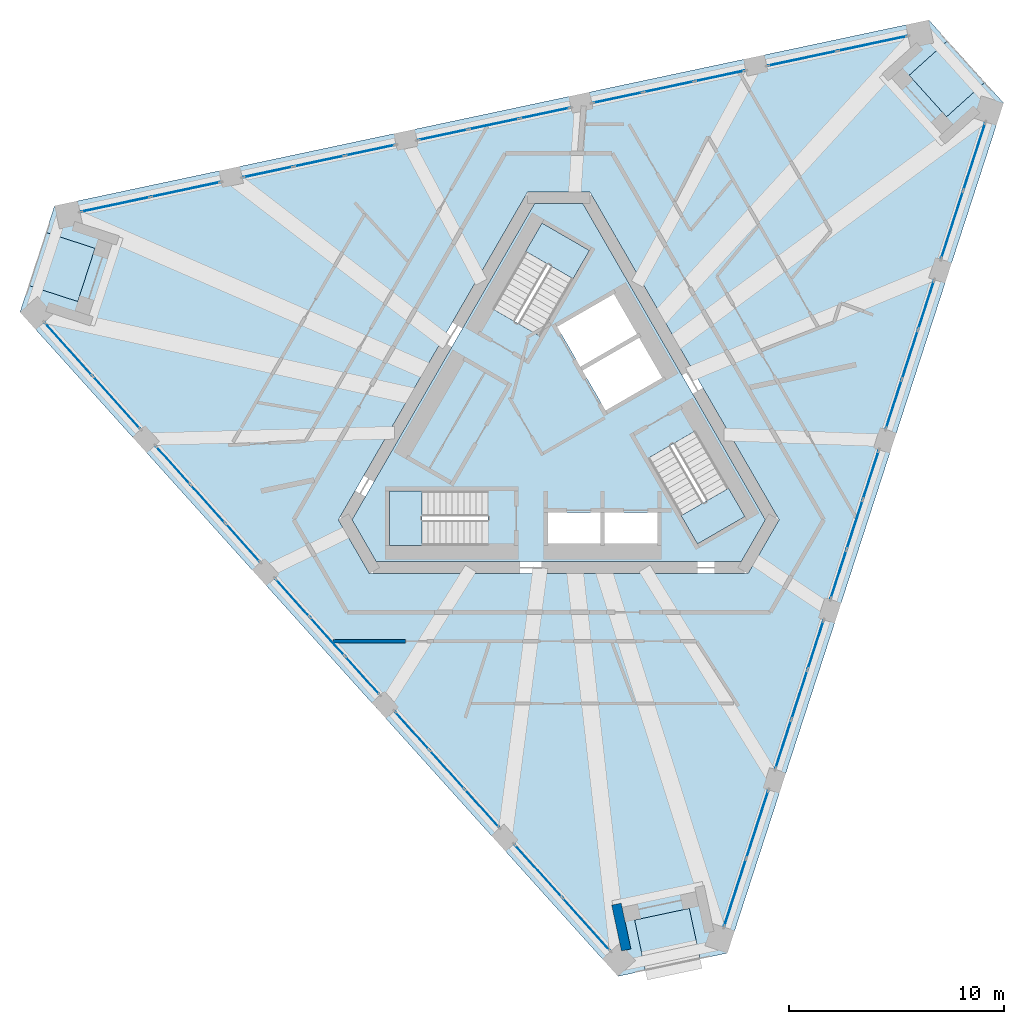
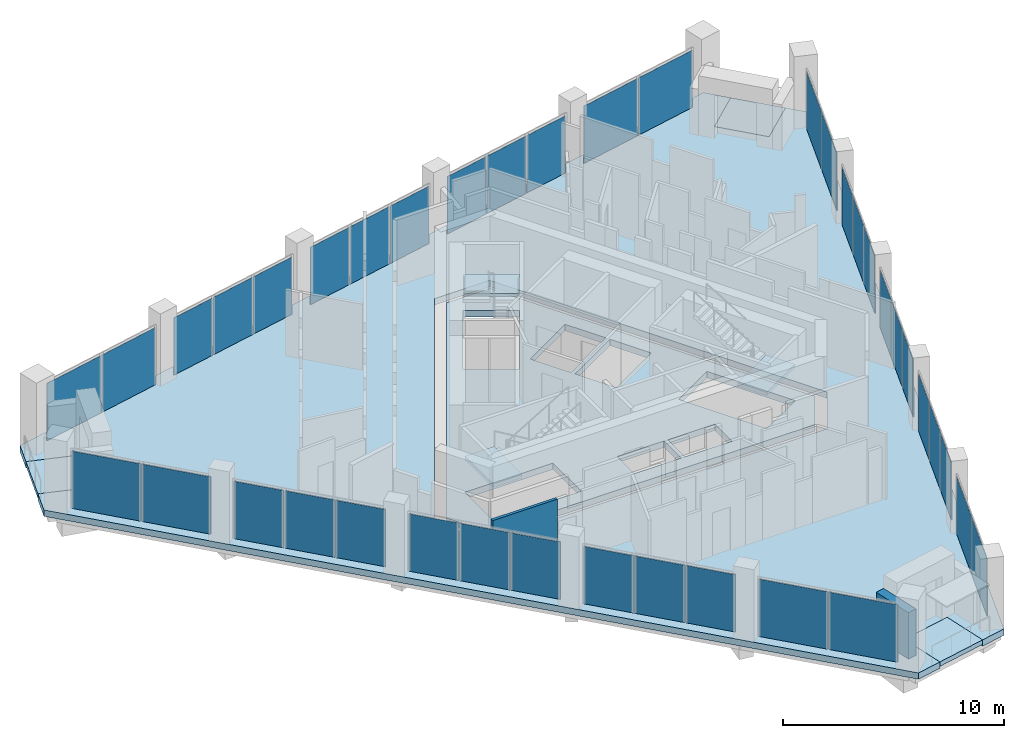
# One storey, part 9 of 17: 39 plates, 8 slabs, 2 walls, 18 elements without a shape of their own.
"""IFC4 building model written with IfcOpenShell, lengths in metres."""

import ifcopenshell
import ifcopenshell.guid

model = None  # the IFC model being written
_history = None  # IfcOwnerHistory: only IFC2X3 demands one
_inside = {}  # id of a spatial element -> (the spatial element, [elements in it])
_under = {}  # id of a project, library or spatial element -> (it, [spatial elements below it])
_declared = {}  # id of a project -> (the project, [libraries it declares])
_typed = {}  # id of a type object -> (the type object, [elements of that type])
_made_of = {}  # id of a material, layer set ... -> (it, [elements and type objects made of it])


def new_model(schema):
    """Start an empty IFC model of exactly this schema.

    Asked for "IFC4X3", IfcOpenShell would pick the latest addendum, in which some entities
    have other attributes; the version numbers below select the first issue.
    IFC2X3 requires an IfcOwnerHistory on every rooted entity: one is made here for all.
    """
    global model, _history
    if schema == "IFC4X3":
        model = ifcopenshell.file(schema_version=(4, 3, 0, 0))
    else:
        model = ifcopenshell.file(schema=schema)
    _inside.clear()
    _under.clear()
    _declared.clear()
    _typed.clear()
    _made_of.clear()
    _history = None
    if model.schema == "IFC2X3":
        org = make("IfcOrganization", Name="unknown")
        user = make(
            "IfcPersonAndOrganization",
            ThePerson=make("IfcPerson", FamilyName="unknown"),
            TheOrganization=org,
        )
        app = make(
            "IfcApplication",
            ApplicationDeveloper=org,
            Version="unknown",
            ApplicationFullName="unknown",
            ApplicationIdentifier="unknown",
        )
        _history = make(
            "IfcOwnerHistory",
            OwningUser=user,
            OwningApplication=app,
            ChangeAction="ADDED",
            CreationDate=0,
        )
    return model


def make(cls, **values):
    """One entity of the class cls with the attributes given. An attribute that is None is left unset."""
    return model.create_entity(
        cls, **{name: value for name, value in values.items() if value is not None}
    )


def rooted(cls, **values):
    """An entity with a GlobalId (a new one), such as an element, a storey or a relation."""
    return make(cls, GlobalId=ifcopenshell.guid.new(), OwnerHistory=_history, **values)


def si_unit(unit_type, name, prefix=None):
    """IfcSIUnit, for example si_unit("LENGTHUNIT", "METRE", prefix="MILLI")."""
    return make("IfcSIUnit", UnitType=unit_type, Prefix=prefix, Name=name)


def assignment(units):
    """IfcUnitAssignment: the units of a project."""
    return None if units is None else make("IfcUnitAssignment", Units=units)


def point(xyz):
    """IfcCartesianPoint."""
    return None if xyz is None else make("IfcCartesianPoint", Coordinates=xyz)


def direction(xyz):
    """IfcDirection."""
    return None if xyz is None else make("IfcDirection", DirectionRatios=xyz)


def frame(location, z_axis=None, x_axis=None):
    """IfcAxis2Placement3D, a coordinate frame: its origin and axes. An axis left out is left unset."""
    return make(
        "IfcAxis2Placement3D",
        Location=point(location),
        Axis=direction(z_axis),
        RefDirection=direction(x_axis),
    )


def frame_2d(location, x_axis=None):
    """IfcAxis2Placement2D, a coordinate frame in the plane: its origin and x axis."""
    return make(
        "IfcAxis2Placement2D", Location=point(location), RefDirection=direction(x_axis)
    )


def origin():
    """The frame at (0, 0, 0) with its axes left unset."""
    return frame((0.0, 0.0, 0.0))


def origin_2d():
    """The frame at (0, 0) in the plane with its x axis left unset."""
    return frame_2d((0.0, 0.0))


def place(relative_to, where):
    """IfcLocalPlacement: puts the frame where relative to a parent placement (None: the world)."""
    return make(
        "IfcLocalPlacement", PlacementRelTo=relative_to, RelativePlacement=where
    )


def context(
    kind, dimensions, precision=None, world=None, true_north=None, identifier=None
):
    """IfcGeometricRepresentationContext, for example the 3D "Model" context."""
    return make(
        "IfcGeometricRepresentationContext",
        ContextIdentifier=identifier,
        ContextType=kind,
        CoordinateSpaceDimension=dimensions,
        Precision=precision,
        WorldCoordinateSystem=world,
        TrueNorth=true_north,
    )


def subcontext(parent, identifier, kind, view, scale=None):
    """IfcGeometricRepresentationSubContext, for example "Body" below "Model"."""
    return make(
        "IfcGeometricRepresentationSubContext",
        ContextIdentifier=identifier,
        ContextType=kind,
        ParentContext=parent,
        TargetScale=scale,
        TargetView=view,
    )


def project(units=None, contexts=None):
    """IfcProject with its units and contexts."""
    return rooted(
        "IfcProject",
        Name="project",
        RepresentationContexts=contexts,
        UnitsInContext=assignment(units),
    )


def spatial(cls, under=None, at=None, **own):
    """A site, building, storey or space (cls), placed at a placement, below another one or the project."""
    s = rooted(cls, ObjectPlacement=at, **own)
    if under is not None:
        _under.setdefault(under.id(), (under, []))[1].append(s)
    return s


def polyline(points):
    """IfcPolyline through the points."""
    return make("IfcPolyline", Points=[point(p) for p in points])


def profile(cls, at=None, kind="AREA", **sizes):
    """A parametric profile (cls). Its sizes go by their IFC names, for example OverallWidth=200.0."""
    return make(cls, ProfileType=kind, Position=at, **sizes)


def rectangle(**sizes):
    """IfcRectangleProfileDef."""
    return profile("IfcRectangleProfileDef", **sizes)


def outline(outer, holes=None, kind="AREA"):
    """IfcArbitraryClosedProfileDef: a profile drawn as a closed curve; with holes, ...WithVoids."""
    if holes is None:
        return make("IfcArbitraryClosedProfileDef", ProfileType=kind, OuterCurve=outer)
    return make(
        "IfcArbitraryProfileDefWithVoids",
        ProfileType=kind,
        OuterCurve=outer,
        InnerCurves=holes,
    )


def extrude(swept, where, along, depth):
    """IfcExtrudedAreaSolid: the profile swept, set in the frame where, extruded along a direction by depth."""
    return make(
        "IfcExtrudedAreaSolid",
        SweptArea=swept,
        Position=where,
        ExtrudedDirection=direction(along),
        Depth=depth,
    )


def shape(context_of_items, identifier, shape_type, items):
    """IfcShapeRepresentation: the items that make up one representation, for example the "Body"."""
    return make(
        "IfcShapeRepresentation",
        ContextOfItems=context_of_items,
        RepresentationIdentifier=identifier,
        RepresentationType=shape_type,
        Items=items,
    )


def material(Name=None, Category=None):
    """IfcMaterial."""
    return make("IfcMaterial", Name=Name, Category=Category)


def layer(
    of_material, thickness, ventilated=None, Name=None, Category=None, Priority=None
):
    """IfcMaterialLayer: one layer of a wall or slab, of a material (None: an air gap)."""
    return make(
        "IfcMaterialLayer",
        Material=of_material,
        LayerThickness=thickness,
        IsVentilated=ventilated,
        Name=Name,
        Category=Category,
        Priority=Priority,
    )


def layer_set(layers, Name=None):
    """IfcMaterialLayerSet."""
    return make("IfcMaterialLayerSet", MaterialLayers=layers, LayerSetName=Name)


def made_of(thing, what):
    """Note that an element or type object is made of a material, layer set ...; save() writes the relation."""
    if what is not None:
        _made_of.setdefault(what.id(), (what, []))[1].append(thing)
    return thing


def type_object(cls, material=None, **own):
    """A type object (cls), such as IfcWallType, which elements share."""
    return made_of(rooted(cls, **own), material)


def element(
    cls,
    number,
    at=None,
    inside=None,
    cuts=None,
    type_object=None,
    material=None,
    context=None,
    identifier="Body",
    shape_type=None,
    held_by="IfcProductDefinitionShape",
    body=None,
    shapes=None,
    **own,
):
    """One element of the class cls, such as IfcWall. Its Tag is "e" and its number.

    at: its placement. inside: the storey or other place that contains it. cuts: it is an
    opening in that element (IfcRelVoidsElement). A single representation is given by context,
    identifier, shape_type and body (its items); several are given by shapes. held_by: the class
    of the entity that holds the representations. save() writes the other relations.
    """
    e = rooted(cls, Tag="e%d" % number, ObjectPlacement=at, **own)
    if body is not None:
        shapes = [shape(context, identifier, shape_type, body)]
    if shapes is not None:
        e.Representation = make(held_by, Representations=shapes)
    if inside is not None:
        _inside.setdefault(inside.id(), (inside, []))[1].append(e)
    if cuts is not None:
        rooted(
            "IfcRelVoidsElement", RelatingBuildingElement=cuts, RelatedOpeningElement=e
        )
    if type_object is not None:
        _typed.setdefault(type_object.id(), (type_object, []))[1].append(e)
    return made_of(e, material)


def aggregate(whole, parts):
    """IfcRelAggregates: a whole, such as a stair, and the parts it consists of."""
    return rooted("IfcRelAggregates", RelatingObject=whole, RelatedObjects=parts)


def save(model, path):
    """Write the relations noted so far, then the file.

    IfcRelAggregates (storeys below a building ...), IfcRelContainedInSpatialStructure (elements
    in a storey), IfcRelDefinesByType, IfcRelAssociatesMaterial and IfcRelDeclares: one each for
    every whole, place, type object, material and project.
    """
    for whole, parts in _under.values():
        aggregate(whole, parts)
    for where, things in _inside.values():
        rooted(
            "IfcRelContainedInSpatialStructure",
            RelatedElements=things,
            RelatingStructure=where,
        )
    for kind, things in _typed.values():
        rooted("IfcRelDefinesByType", RelatedObjects=things, RelatingType=kind)
    for what, things in _made_of.values():
        rooted("IfcRelAssociatesMaterial", RelatedObjects=things, RelatingMaterial=what)
    for by, libraries in _declared.values():
        rooted("IfcRelDeclares", RelatingContext=by, RelatedDefinitions=libraries)
    model.write(path)


model = new_model("IFC4")

# Units and contexts
model_context = context("Model", 3, precision=1e-05, world=origin(), true_north=direction((0.0, 1.0)))
body_context = subcontext(model_context, "Body", "Model", "MODEL_VIEW")
ifc_project = project(units=[si_unit("LENGTHUNIT", "METRE"), si_unit("AREAUNIT", "SQUARE_METRE"), si_unit("VOLUMEUNIT", "CUBIC_METRE"), si_unit("PLANEANGLEUNIT", "RADIAN"), si_unit("MASSUNIT", "GRAM", prefix="KILO")], contexts=[model_context])

# Site, building, storey
site_placement = place(None, origin())
site = spatial("IfcSite", under=ifc_project, at=site_placement, CompositionType="ELEMENT")
building_placement = place(site_placement, origin())
building = spatial("IfcBuilding", under=site, at=building_placement, Name="Tramontana Tower", CompositionType="ELEMENT")
storey_placement = place(building_placement, frame((0.0, 0.0, 348.39990234375)))
storey = spatial("IfcBuildingStorey", under=building, at=storey_placement, Name="L80", CompositionType="ELEMENT", Elevation=348.39990234375)

# Curtain wall, plates
ifc_material_1 = material(Name="Aluminum extrusion", Category="aluminium")
ifc_layer_1 = layer(ifc_material_1, 0.14990234375)
ifc_layer_set_1 = layer_set([ifc_layer_1], Name="CW5 Top lounge curtain wall")
curtain_wall_type = type_object("IfcCurtainWallType", Name="CW5 Top lounge curtain wall", PredefinedType="NOTDEFINED", material=ifc_layer_set_1)
curtain_wall_1_placement = place(storey_placement, origin())
curtain_wall_1 = element("IfcCurtainWall", 1, at=curtain_wall_1_placement, inside=storey, type_object=curtain_wall_type, Name="CW5 curtain wall L80 face 0 bay 1", PredefinedType="NOTDEFINED")
ifc_material_2 = material(Name="Low-iron double glazing unit", Category="glass")
ifc_layer_2 = layer(ifc_material_2, 0.033935546875)
ifc_layer_set_2 = layer_set([ifc_layer_2], Name="CW5-P Glazing panel 34")
plate_type = type_object("IfcPlateType", Name="CW5-P Glazing panel 34", PredefinedType="CURTAIN_PANEL", material=ifc_layer_set_2)
plate_1_placement = place(storey_placement, frame((-22.79541015625, 3.684326171875, 0.0), z_axis=(0.0, 0.0, 1.0), x_axis=(0.669130606359, -0.743144825477, 0.0)))
plate_1 = element("IfcPlate", 2, at=plate_1_placement, type_object=plate_type, Name="CW5 curtain wall L80 face 0 bay 1 panel 1.1", PredefinedType="CURTAIN_PANEL", context=body_context, shape_type="SweptSolid", body=[
    extrude(rectangle(XDim=3.266845703125, YDim=0.033935546875, at=origin_2d()), origin(), (0.0, 0.0, 1.0), 3.1650390625),
])
plate_2_placement = place(storey_placement, frame((-20.5693359375, 1.2119140625, 0.0), z_axis=(0.0, 0.0, 1.0), x_axis=(0.669130606359, -0.743144825477, 0.0)))
plate_2 = element("IfcPlate", 3, at=plate_2_placement, type_object=plate_type, Name="CW5 curtain wall L80 face 0 bay 1 panel 2.1", PredefinedType="CURTAIN_PANEL", context=body_context, shape_type="SweptSolid", body=[
    extrude(rectangle(XDim=3.266845703125, YDim=0.033935546875, at=origin_2d()), origin(), (0.0, 0.0, 1.0), 3.1650390625),
])
aggregate(curtain_wall_1, [plate_1, plate_2])

curtain_wall_2_placement = place(storey_placement, origin())
curtain_wall_2 = element("IfcCurtainWall", 4, at=curtain_wall_2_placement, inside=storey, type_object=curtain_wall_type, Name="CW5 curtain wall L80 face 0 bay 2", PredefinedType="NOTDEFINED")
plate_3_placement = place(storey_placement, frame((-17.94140625, -1.706787109375, 0.0), z_axis=(0.0, 0.0, 1.0), x_axis=(0.669130606359, -0.743144825477, 0.0)))
plate_3 = element("IfcPlate", 5, at=plate_3_placement, type_object=plate_type, Name="CW5 curtain wall L80 face 0 bay 2 panel 1.1", PredefinedType="CURTAIN_PANEL", context=body_context, shape_type="SweptSolid", body=[
    extrude(rectangle(XDim=2.347900390625, YDim=0.033935546875, at=origin_2d()), origin(), (0.0, 0.0, 1.0), 3.1650390625),
])
plate_4_placement = place(storey_placement, frame((-16.320068359375, -3.50732421875, 0.0), z_axis=(0.0, 0.0, 1.0), x_axis=(0.669130606359, -0.743144825477, 0.0)))
plate_4 = element("IfcPlate", 6, at=plate_4_placement, type_object=plate_type, Name="CW5 curtain wall L80 face 0 bay 2 panel 2.1", PredefinedType="CURTAIN_PANEL", context=body_context, shape_type="SweptSolid", body=[
    extrude(rectangle(XDim=2.3779296875, YDim=0.033935546875, at=origin_2d()), origin(), (0.0, 0.0, 1.0), 3.1650390625),
])
plate_5_placement = place(storey_placement, frame((-14.69873046875, -5.307861328125, 0.0), z_axis=(0.0, 0.0, 1.0), x_axis=(0.669130606359, -0.743144825477, 0.0)))
plate_5 = element("IfcPlate", 7, at=plate_5_placement, type_object=plate_type, Name="CW5 curtain wall L80 face 0 bay 2 panel 3.1", PredefinedType="CURTAIN_PANEL", context=body_context, shape_type="SweptSolid", body=[
    extrude(rectangle(XDim=2.347900390625, YDim=0.033935546875, at=origin_2d()), origin(), (0.0, 0.0, 1.0), 3.1650390625),
])
aggregate(curtain_wall_2, [plate_3, plate_4, plate_5])

curtain_wall_3_placement = place(storey_placement, origin())
curtain_wall_3 = element("IfcCurtainWall", 8, at=curtain_wall_3_placement, inside=storey, type_object=curtain_wall_type, Name="CW5 curtain wall L80 face 0 bay 3", PredefinedType="NOTDEFINED")
plate_6_placement = place(storey_placement, frame((-12.378173828125, -7.885009765625, 0.0), z_axis=(0.0, 0.0, 1.0), x_axis=(0.669130606359, -0.743144825477, 0.0)))
plate_6 = element("IfcPlate", 9, at=plate_6_placement, type_object=plate_type, Name="CW5 curtain wall L80 face 0 bay 3 panel 1.1", PredefinedType="CURTAIN_PANEL", context=body_context, shape_type="SweptSolid", body=[
    extrude(rectangle(XDim=2.347900390625, YDim=0.033935546875, at=origin_2d()), origin(), (0.0, 0.0, 1.0), 3.1650390625),
])
plate_7_placement = place(storey_placement, frame((-10.757080078125, -9.685546875, 0.0), z_axis=(0.0, 0.0, 1.0), x_axis=(0.669130606359, -0.743144825477, 0.0)))
plate_7 = element("IfcPlate", 10, at=plate_7_placement, type_object=plate_type, Name="CW5 curtain wall L80 face 0 bay 3 panel 2.1", PredefinedType="CURTAIN_PANEL", context=body_context, shape_type="SweptSolid", body=[
    extrude(rectangle(XDim=2.3779296875, YDim=0.033935546875, at=origin_2d()), origin(), (0.0, 0.0, 1.0), 3.1650390625),
])
plate_8_placement = place(storey_placement, frame((-9.1357421875, -11.486328125, 0.0), z_axis=(0.0, 0.0, 1.0), x_axis=(0.669130606359, -0.743144825477, 0.0)))
plate_8 = element("IfcPlate", 11, at=plate_8_placement, type_object=plate_type, Name="CW5 curtain wall L80 face 0 bay 3 panel 3.1", PredefinedType="CURTAIN_PANEL", context=body_context, shape_type="SweptSolid", body=[
    extrude(rectangle(XDim=2.347900390625, YDim=0.033935546875, at=origin_2d()), origin(), (0.0, 0.0, 1.0), 3.1650390625),
])
aggregate(curtain_wall_3, [plate_6, plate_7, plate_8])

curtain_wall_4_placement = place(storey_placement, origin())
curtain_wall_4 = element("IfcCurtainWall", 12, at=curtain_wall_4_placement, inside=storey, type_object=curtain_wall_type, Name="CW5 curtain wall L80 face 0 bay 4", PredefinedType="NOTDEFINED")
plate_9_placement = place(storey_placement, frame((-6.815185546875, -14.0634765625, 0.0), z_axis=(0.0, 0.0, 1.0), x_axis=(0.669130606359, -0.743144825477, 0.0)))
plate_9 = element("IfcPlate", 13, at=plate_9_placement, type_object=plate_type, Name="CW5 curtain wall L80 face 0 bay 4 panel 1.1", PredefinedType="CURTAIN_PANEL", context=body_context, shape_type="SweptSolid", body=[
    extrude(rectangle(XDim=2.347900390625, YDim=0.033935546875, at=origin_2d()), origin(), (0.0, 0.0, 1.0), 3.1650390625),
])
plate_10_placement = place(storey_placement, frame((-5.194091796875, -15.864013671875, 0.0), z_axis=(0.0, 0.0, 1.0), x_axis=(0.669130606359, -0.743144825477, 0.0)))
plate_10 = element("IfcPlate", 14, at=plate_10_placement, type_object=plate_type, Name="CW5 curtain wall L80 face 0 bay 4 panel 2.1", PredefinedType="CURTAIN_PANEL", context=body_context, shape_type="SweptSolid", body=[
    extrude(rectangle(XDim=2.3779296875, YDim=0.033935546875, at=origin_2d()), origin(), (0.0, 0.0, 1.0), 3.1650390625),
])
plate_11_placement = place(storey_placement, frame((-3.57275390625, -17.66455078125, 0.0), z_axis=(0.0, 0.0, 1.0), x_axis=(0.669130606359, -0.743144825477, 0.0)))
plate_11 = element("IfcPlate", 15, at=plate_11_placement, type_object=plate_type, Name="CW5 curtain wall L80 face 0 bay 4 panel 3.1", PredefinedType="CURTAIN_PANEL", context=body_context, shape_type="SweptSolid", body=[
    extrude(rectangle(XDim=2.347900390625, YDim=0.033935546875, at=origin_2d()), origin(), (0.0, 0.0, 1.0), 3.1650390625),
])
aggregate(curtain_wall_4, [plate_9, plate_10, plate_11])

curtain_wall_5_placement = place(storey_placement, origin())
curtain_wall_5 = element("IfcCurtainWall", 16, at=curtain_wall_5_placement, inside=storey, type_object=curtain_wall_type, Name="CW5 curtain wall L80 face 0 bay 5", PredefinedType="NOTDEFINED")
plate_12_placement = place(storey_placement, frame((-0.94482421875, -20.583251953125, 0.0), z_axis=(0.0, 0.0, 1.0), x_axis=(0.669130606359, -0.743144825477, 0.0)))
plate_12 = element("IfcPlate", 17, at=plate_12_placement, type_object=plate_type, Name="CW5 curtain wall L80 face 0 bay 5 panel 1.1", PredefinedType="CURTAIN_PANEL", context=body_context, shape_type="SweptSolid", body=[
    extrude(rectangle(XDim=3.266845703125, YDim=0.033935546875, at=origin_2d()), origin(), (0.0, 0.0, 1.0), 3.1650390625),
])
plate_13_placement = place(storey_placement, frame((1.281494140625, -23.0556640625, 0.0), z_axis=(0.0, 0.0, 1.0), x_axis=(0.669130606359, -0.743144825477, 0.0)))
plate_13 = element("IfcPlate", 18, at=plate_13_placement, type_object=plate_type, Name="CW5 curtain wall L80 face 0 bay 5 panel 2.1", PredefinedType="CURTAIN_PANEL", context=body_context, shape_type="SweptSolid", body=[
    extrude(rectangle(XDim=3.266845703125, YDim=0.033935546875, at=origin_2d()), origin(), (0.0, 0.0, 1.0), 3.1650390625),
])
aggregate(curtain_wall_5, [plate_12, plate_13])

curtain_wall_6_placement = place(storey_placement, origin())
curtain_wall_6 = element("IfcCurtainWall", 19, at=curtain_wall_6_placement, inside=storey, type_object=curtain_wall_type, Name="CW5 curtain wall L80 face 1 bay 1", PredefinedType="NOTDEFINED")
plate_14_placement = place(storey_placement, frame((8.20703125, -21.583740234375, 0.0), z_axis=(0.0, 0.0, 1.0), x_axis=(0.309016994375, 0.951056516295, 0.0)))
plate_14 = element("IfcPlate", 20, at=plate_14_placement, type_object=plate_type, Name="CW5 curtain wall L80 face 1 bay 1 panel 1.1", PredefinedType="CURTAIN_PANEL", context=body_context, shape_type="SweptSolid", body=[
    extrude(rectangle(XDim=3.266845703125, YDim=0.033935546875, at=origin_2d()), origin(), (0.0, 0.0, 1.0), 3.1650390625),
])
plate_15_placement = place(storey_placement, frame((9.235107421875, -18.41943359375, 0.0), z_axis=(0.0, 0.0, 1.0), x_axis=(0.309016994375, 0.951056516295, 0.0)))
plate_15 = element("IfcPlate", 21, at=plate_15_placement, type_object=plate_type, Name="CW5 curtain wall L80 face 1 bay 1 panel 2.1", PredefinedType="CURTAIN_PANEL", context=body_context, shape_type="SweptSolid", body=[
    extrude(rectangle(XDim=3.266845703125, YDim=0.033935546875, at=origin_2d()), origin(), (0.0, 0.0, 1.0), 3.1650390625),
])
aggregate(curtain_wall_6, [plate_14, plate_15])

curtain_wall_7_placement = place(storey_placement, origin())
curtain_wall_7 = element("IfcCurtainWall", 22, at=curtain_wall_7_placement, inside=storey, type_object=curtain_wall_type, Name="CW5 curtain wall L80 face 1 bay 2", PredefinedType="NOTDEFINED")
plate_16_placement = place(storey_placement, frame((10.44873046875, -14.684326171875, 0.0), z_axis=(0.0, 0.0, 1.0), x_axis=(0.309016994375, 0.951056516295, 0.0)))
plate_16 = element("IfcPlate", 23, at=plate_16_placement, type_object=plate_type, Name="CW5 curtain wall L80 face 1 bay 2 panel 1.1", PredefinedType="CURTAIN_PANEL", context=body_context, shape_type="SweptSolid", body=[
    extrude(rectangle(XDim=2.347900390625, YDim=0.033935546875, at=origin_2d()), origin(), (0.0, 0.0, 1.0), 3.1650390625),
])
plate_17_placement = place(storey_placement, frame((11.197509765625, -12.3798828125, 0.0), z_axis=(0.0, 0.0, 1.0), x_axis=(0.309016994375, 0.951056516295, 0.0)))
plate_17 = element("IfcPlate", 24, at=plate_17_placement, type_object=plate_type, Name="CW5 curtain wall L80 face 1 bay 2 panel 2.1", PredefinedType="CURTAIN_PANEL", context=body_context, shape_type="SweptSolid", body=[
    extrude(rectangle(XDim=2.3779296875, YDim=0.033935546875, at=origin_2d()), origin(), (0.0, 0.0, 1.0), 3.1650390625),
])
plate_18_placement = place(storey_placement, frame((11.946044921875, -10.07568359375, 0.0), z_axis=(0.0, 0.0, 1.0), x_axis=(0.309016994375, 0.951056516295, 0.0)))
plate_18 = element("IfcPlate", 25, at=plate_18_placement, type_object=plate_type, Name="CW5 curtain wall L80 face 1 bay 2 panel 3.1", PredefinedType="CURTAIN_PANEL", context=body_context, shape_type="SweptSolid", body=[
    extrude(rectangle(XDim=2.347900390625, YDim=0.033935546875, at=origin_2d()), origin(), (0.0, 0.0, 1.0), 3.1650390625),
])
aggregate(curtain_wall_7, [plate_16, plate_17, plate_18])

curtain_wall_8_placement = place(storey_placement, origin())
curtain_wall_8 = element("IfcCurtainWall", 26, at=curtain_wall_8_placement, inside=storey, type_object=curtain_wall_type, Name="CW5 curtain wall L80 face 1 bay 3", PredefinedType="NOTDEFINED")
plate_19_placement = place(storey_placement, frame((13.017822265625, -6.77734375, 0.0), z_axis=(0.0, 0.0, 1.0), x_axis=(0.309016994375, 0.951056516295, 0.0)))
plate_19 = element("IfcPlate", 27, at=plate_19_placement, type_object=plate_type, Name="CW5 curtain wall L80 face 1 bay 3 panel 1.1", PredefinedType="CURTAIN_PANEL", context=body_context, shape_type="SweptSolid", body=[
    extrude(rectangle(XDim=2.347900390625, YDim=0.033935546875, at=origin_2d()), origin(), (0.0, 0.0, 1.0), 3.1650390625),
])
plate_20_placement = place(storey_placement, frame((13.7666015625, -4.472900390625, 0.0), z_axis=(0.0, 0.0, 1.0), x_axis=(0.309016994375, 0.951056516295, 0.0)))
plate_20 = element("IfcPlate", 28, at=plate_20_placement, type_object=plate_type, Name="CW5 curtain wall L80 face 1 bay 3 panel 2.1", PredefinedType="CURTAIN_PANEL", context=body_context, shape_type="SweptSolid", body=[
    extrude(rectangle(XDim=2.3779296875, YDim=0.033935546875, at=origin_2d()), origin(), (0.0, 0.0, 1.0), 3.1650390625),
])
plate_21_placement = place(storey_placement, frame((14.515380859375, -2.168701171875, 0.0), z_axis=(0.0, 0.0, 1.0), x_axis=(0.309016994375, 0.951056516295, 0.0)))
plate_21 = element("IfcPlate", 29, at=plate_21_placement, type_object=plate_type, Name="CW5 curtain wall L80 face 1 bay 3 panel 3.1", PredefinedType="CURTAIN_PANEL", context=body_context, shape_type="SweptSolid", body=[
    extrude(rectangle(XDim=2.347900390625, YDim=0.033935546875, at=origin_2d()), origin(), (0.0, 0.0, 1.0), 3.1650390625),
])
aggregate(curtain_wall_8, [plate_19, plate_20, plate_21])

curtain_wall_9_placement = place(storey_placement, origin())
curtain_wall_9 = element("IfcCurtainWall", 30, at=curtain_wall_9_placement, inside=storey, type_object=curtain_wall_type, Name="CW5 curtain wall L80 face 1 bay 4", PredefinedType="NOTDEFINED")
plate_22_placement = place(storey_placement, frame((15.5869140625, 1.129638671875, 0.0), z_axis=(0.0, 0.0, 1.0), x_axis=(0.309016994375, 0.951056516295, 0.0)))
plate_22 = element("IfcPlate", 31, at=plate_22_placement, type_object=plate_type, Name="CW5 curtain wall L80 face 1 bay 4 panel 1.1", PredefinedType="CURTAIN_PANEL", context=body_context, shape_type="SweptSolid", body=[
    extrude(rectangle(XDim=2.347900390625, YDim=0.033935546875, at=origin_2d()), origin(), (0.0, 0.0, 1.0), 3.1650390625),
])
plate_23_placement = place(storey_placement, frame((16.335693359375, 3.433837890625, 0.0), z_axis=(0.0, 0.0, 1.0), x_axis=(0.309016994375, 0.951056516295, 0.0)))
plate_23 = element("IfcPlate", 32, at=plate_23_placement, type_object=plate_type, Name="CW5 curtain wall L80 face 1 bay 4 panel 2.1", PredefinedType="CURTAIN_PANEL", context=body_context, shape_type="SweptSolid", body=[
    extrude(rectangle(XDim=2.3779296875, YDim=0.033935546875, at=origin_2d()), origin(), (0.0, 0.0, 1.0), 3.1650390625),
])
plate_24_placement = place(storey_placement, frame((17.08447265625, 5.73828125, 0.0), z_axis=(0.0, 0.0, 1.0), x_axis=(0.309016994375, 0.951056516295, 0.0)))
plate_24 = element("IfcPlate", 33, at=plate_24_placement, type_object=plate_type, Name="CW5 curtain wall L80 face 1 bay 4 panel 3.1", PredefinedType="CURTAIN_PANEL", context=body_context, shape_type="SweptSolid", body=[
    extrude(rectangle(XDim=2.347900390625, YDim=0.033935546875, at=origin_2d()), origin(), (0.0, 0.0, 1.0), 3.1650390625),
])
aggregate(curtain_wall_9, [plate_22, plate_23, plate_24])

curtain_wall_10_placement = place(storey_placement, origin())
curtain_wall_10 = element("IfcCurtainWall", 34, at=curtain_wall_10_placement, inside=storey, type_object=curtain_wall_type, Name="CW5 curtain wall L80 face 1 bay 5", PredefinedType="NOTDEFINED")
plate_25_placement = place(storey_placement, frame((18.298095703125, 9.473388671875, 0.0), z_axis=(0.0, 0.0, 1.0), x_axis=(0.309016994375, 0.951056516295, 0.0)))
plate_25 = element("IfcPlate", 35, at=plate_25_placement, type_object=plate_type, Name="CW5 curtain wall L80 face 1 bay 5 panel 1.1", PredefinedType="CURTAIN_PANEL", context=body_context, shape_type="SweptSolid", body=[
    extrude(rectangle(XDim=3.266845703125, YDim=0.033935546875, at=origin_2d()), origin(), (0.0, 0.0, 1.0), 3.1650390625),
])
plate_26_placement = place(storey_placement, frame((19.326171875, 12.6376953125, 0.0), z_axis=(0.0, 0.0, 1.0), x_axis=(0.309016994375, 0.951056516295, 0.0)))
plate_26 = element("IfcPlate", 36, at=plate_26_placement, type_object=plate_type, Name="CW5 curtain wall L80 face 1 bay 5 panel 2.1", PredefinedType="CURTAIN_PANEL", context=body_context, shape_type="SweptSolid", body=[
    extrude(rectangle(XDim=3.266845703125, YDim=0.033935546875, at=origin_2d()), origin(), (0.0, 0.0, 1.0), 3.1650390625),
])
aggregate(curtain_wall_10, [plate_25, plate_26])

curtain_wall_11_placement = place(storey_placement, origin())
curtain_wall_11 = element("IfcCurtainWall", 37, at=curtain_wall_11_placement, inside=storey, type_object=curtain_wall_type, Name="CW5 curtain wall L80 face 2 bay 1", PredefinedType="NOTDEFINED")
plate_27_placement = place(storey_placement, frame((14.58837890625, 17.899169921875, 0.0), z_axis=(0.0, 0.0, 1.0), x_axis=(-0.978147600734, -0.207911690818, 0.0)))
plate_27 = element("IfcPlate", 38, at=plate_27_placement, type_object=plate_type, Name="CW5 curtain wall L80 face 2 bay 1 panel 1.1", PredefinedType="CURTAIN_PANEL", context=body_context, shape_type="SweptSolid", body=[
    extrude(rectangle(XDim=3.266845703125, YDim=0.033935546875, at=origin_2d()), origin(), (0.0, 0.0, 1.0), 3.1650390625),
])
plate_28_placement = place(storey_placement, frame((11.334228515625, 17.20751953125, 0.0), z_axis=(0.0, 0.0, 1.0), x_axis=(-0.978147600734, -0.207911690818, 0.0)))
plate_28 = element("IfcPlate", 39, at=plate_28_placement, type_object=plate_type, Name="CW5 curtain wall L80 face 2 bay 1 panel 2.1", PredefinedType="CURTAIN_PANEL", context=body_context, shape_type="SweptSolid", body=[
    extrude(rectangle(XDim=3.266845703125, YDim=0.033935546875, at=origin_2d()), origin(), (0.0, 0.0, 1.0), 3.1650390625),
])
aggregate(curtain_wall_11, [plate_27, plate_28])

curtain_wall_12_placement = place(storey_placement, origin())
curtain_wall_12 = element("IfcCurtainWall", 40, at=curtain_wall_12_placement, inside=storey, type_object=curtain_wall_type, Name="CW5 curtain wall L80 face 2 bay 2", PredefinedType="NOTDEFINED")
plate_29_placement = place(storey_placement, frame((7.49267578125, 16.390869140625, 0.0), z_axis=(0.0, 0.0, 1.0), x_axis=(-0.978147600734, -0.207911690818, 0.0)))
plate_29 = element("IfcPlate", 41, at=plate_29_placement, type_object=plate_type, Name="CW5 curtain wall L80 face 2 bay 2 panel 1.1", PredefinedType="CURTAIN_PANEL", context=body_context, shape_type="SweptSolid", body=[
    extrude(rectangle(XDim=2.347900390625, YDim=0.033935546875, at=origin_2d()), origin(), (0.0, 0.0, 1.0), 3.1650390625),
])
plate_30_placement = place(storey_placement, frame((5.12255859375, 15.88720703125, 0.0), z_axis=(0.0, 0.0, 1.0), x_axis=(-0.978147600734, -0.207911690818, 0.0)))
plate_30 = element("IfcPlate", 42, at=plate_30_placement, type_object=plate_type, Name="CW5 curtain wall L80 face 2 bay 2 panel 2.1", PredefinedType="CURTAIN_PANEL", context=body_context, shape_type="SweptSolid", body=[
    extrude(rectangle(XDim=2.3779296875, YDim=0.033935546875, at=origin_2d()), origin(), (0.0, 0.0, 1.0), 3.1650390625),
])
plate_31_placement = place(storey_placement, frame((2.752685546875, 15.383544921875, 0.0), z_axis=(0.0, 0.0, 1.0), x_axis=(-0.978147600734, -0.207911690818, 0.0)))
plate_31 = element("IfcPlate", 43, at=plate_31_placement, type_object=plate_type, Name="CW5 curtain wall L80 face 2 bay 2 panel 3.1", PredefinedType="CURTAIN_PANEL", context=body_context, shape_type="SweptSolid", body=[
    extrude(rectangle(XDim=2.347900390625, YDim=0.033935546875, at=origin_2d()), origin(), (0.0, 0.0, 1.0), 3.1650390625),
])
aggregate(curtain_wall_12, [plate_29, plate_30, plate_31])

curtain_wall_13_placement = place(storey_placement, origin())
curtain_wall_13 = element("IfcCurtainWall", 44, at=curtain_wall_13_placement, inside=storey, type_object=curtain_wall_type, Name="CW5 curtain wall L80 face 2 bay 3", PredefinedType="NOTDEFINED")
plate_32_placement = place(storey_placement, frame((-0.639404296875, 14.662353515625, 0.0), z_axis=(0.0, 0.0, 1.0), x_axis=(-0.978147600734, -0.207911690818, 0.0)))
plate_32 = element("IfcPlate", 45, at=plate_32_placement, type_object=plate_type, Name="CW5 curtain wall L80 face 2 bay 3 panel 1.1", PredefinedType="CURTAIN_PANEL", context=body_context, shape_type="SweptSolid", body=[
    extrude(rectangle(XDim=2.347900390625, YDim=0.033935546875, at=origin_2d()), origin(), (0.0, 0.0, 1.0), 3.1650390625),
])
plate_33_placement = place(storey_placement, frame((-3.009521484375, 14.15869140625, 0.0), z_axis=(0.0, 0.0, 1.0), x_axis=(-0.978147600734, -0.207911690818, 0.0)))
plate_33 = element("IfcPlate", 46, at=plate_33_placement, type_object=plate_type, Name="CW5 curtain wall L80 face 2 bay 3 panel 2.1", PredefinedType="CURTAIN_PANEL", context=body_context, shape_type="SweptSolid", body=[
    extrude(rectangle(XDim=2.3779296875, YDim=0.033935546875, at=origin_2d()), origin(), (0.0, 0.0, 1.0), 3.1650390625),
])
plate_34_placement = place(storey_placement, frame((-5.379638671875, 13.655029296875, 0.0), z_axis=(0.0, 0.0, 1.0), x_axis=(-0.978147600734, -0.207911690818, 0.0)))
plate_34 = element("IfcPlate", 47, at=plate_34_placement, type_object=plate_type, Name="CW5 curtain wall L80 face 2 bay 3 panel 3.1", PredefinedType="CURTAIN_PANEL", context=body_context, shape_type="SweptSolid", body=[
    extrude(rectangle(XDim=2.347900390625, YDim=0.033935546875, at=origin_2d()), origin(), (0.0, 0.0, 1.0), 3.1650390625),
])
aggregate(curtain_wall_13, [plate_32, plate_33, plate_34])

curtain_wall_14_placement = place(storey_placement, origin())
curtain_wall_14 = element("IfcCurtainWall", 48, at=curtain_wall_14_placement, inside=storey, type_object=curtain_wall_type, Name="CW5 curtain wall L80 face 2 bay 4", PredefinedType="NOTDEFINED")
plate_35_placement = place(storey_placement, frame((-8.771728515625, 12.933837890625, 0.0), z_axis=(0.0, 0.0, 1.0), x_axis=(-0.978147600734, -0.207911690818, 0.0)))
plate_35 = element("IfcPlate", 49, at=plate_35_placement, type_object=plate_type, Name="CW5 curtain wall L80 face 2 bay 4 panel 1.1", PredefinedType="CURTAIN_PANEL", context=body_context, shape_type="SweptSolid", body=[
    extrude(rectangle(XDim=2.347900390625, YDim=0.033935546875, at=origin_2d()), origin(), (0.0, 0.0, 1.0), 3.1650390625),
])
plate_36_placement = place(storey_placement, frame((-11.1416015625, 12.43017578125, 0.0), z_axis=(0.0, 0.0, 1.0), x_axis=(-0.978147600734, -0.207911690818, 0.0)))
plate_36 = element("IfcPlate", 50, at=plate_36_placement, type_object=plate_type, Name="CW5 curtain wall L80 face 2 bay 4 panel 2.1", PredefinedType="CURTAIN_PANEL", context=body_context, shape_type="SweptSolid", body=[
    extrude(rectangle(XDim=2.3779296875, YDim=0.033935546875, at=origin_2d()), origin(), (0.0, 0.0, 1.0), 3.1650390625),
])
plate_37_placement = place(storey_placement, frame((-13.51171875, 11.92626953125, 0.0), z_axis=(0.0, 0.0, 1.0), x_axis=(-0.978147600734, -0.207911690818, 0.0)))
plate_37 = element("IfcPlate", 51, at=plate_37_placement, type_object=plate_type, Name="CW5 curtain wall L80 face 2 bay 4 panel 3.1", PredefinedType="CURTAIN_PANEL", context=body_context, shape_type="SweptSolid", body=[
    extrude(rectangle(XDim=2.347900390625, YDim=0.033935546875, at=origin_2d()), origin(), (0.0, 0.0, 1.0), 3.1650390625),
])
aggregate(curtain_wall_14, [plate_35, plate_36, plate_37])

curtain_wall_15_placement = place(storey_placement, origin())
curtain_wall_15 = element("IfcCurtainWall", 52, at=curtain_wall_15_placement, inside=storey, type_object=curtain_wall_type, Name="CW5 curtain wall L80 face 2 bay 5", PredefinedType="NOTDEFINED")
plate_38_placement = place(storey_placement, frame((-17.353271484375, 11.10986328125, 0.0), z_axis=(0.0, 0.0, 1.0), x_axis=(-0.978147600734, -0.207911690818, 0.0)))
plate_38 = element("IfcPlate", 53, at=plate_38_placement, type_object=plate_type, Name="CW5 curtain wall L80 face 2 bay 5 panel 1.1", PredefinedType="CURTAIN_PANEL", context=body_context, shape_type="SweptSolid", body=[
    extrude(rectangle(XDim=3.266845703125, YDim=0.033935546875, at=origin_2d()), origin(), (0.0, 0.0, 1.0), 3.1650390625),
])
plate_39_placement = place(storey_placement, frame((-20.607421875, 10.418212890625, 0.0), z_axis=(0.0, 0.0, 1.0), x_axis=(-0.978147600734, -0.207911690818, 0.0)))
plate_39 = element("IfcPlate", 54, at=plate_39_placement, type_object=plate_type, Name="CW5 curtain wall L80 face 2 bay 5 panel 2.1", PredefinedType="CURTAIN_PANEL", context=body_context, shape_type="SweptSolid", body=[
    extrude(rectangle(XDim=3.266845703125, YDim=0.033935546875, at=origin_2d()), origin(), (0.0, 0.0, 1.0), 3.1650390625),
])
aggregate(curtain_wall_15, [plate_38, plate_39])

# Slabs
ifc_material_3 = material(Name="Precast concrete 50 MPa", Category="concrete")
ifc_layer_3 = layer(ifc_material_3, 0.25)
ifc_layer_set_3 = layer_set([ifc_layer_3], Name="LT1 Loggia floor tray 250")
slab_type_1 = type_object("IfcSlabType", Name="LT1 Loggia floor tray 250", PredefinedType="FLOOR", material=ifc_layer_set_3)
slab_1_placement = place(storey_placement, frame((0.0, 0.0, -0.25)))
element("IfcSlab", 55, at=slab_1_placement, inside=storey, type_object=slab_type_1, Name="Corner loggia floor L80 K80", PredefinedType="FLOOR", context=body_context, shape_type="SweptSolid", body=[
    extrude(outline(polyline([(-23.85009765625, 9.1162109375), (-21.567626953125, 8.374755859375), (-22.37109375, 5.90185546875), (-24.653564453125, 6.6435546875), (-23.85009765625, 9.1162109375)])), origin(), (0.0, 0.0, 1.0), 0.25),
])
slab_2_placement = place(storey_placement, frame((0.0, 0.0, -0.25)))
element("IfcSlab", 56, at=slab_2_placement, inside=storey, type_object=slab_type_1, Name="Corner loggia floor L80 K81", PredefinedType="FLOOR", context=body_context, shape_type="SweptSolid", body=[
    extrude(outline(polyline([(4.0302734375, -25.213134765625), (3.53125, -22.865478515625), (6.074462890625, -22.324951171875), (6.5732421875, -24.67236328125), (4.0302734375, -25.213134765625)])), origin(), (0.0, 0.0, 1.0), 0.25),
])
slab_3_placement = place(storey_placement, frame((0.0, 0.0, -0.25)))
element("IfcSlab", 57, at=slab_3_placement, inside=storey, type_object=slab_type_1, Name="Corner loggia floor L80 K82", PredefinedType="FLOOR", context=body_context, shape_type="SweptSolid", body=[
    extrude(outline(polyline([(19.820068359375, 16.0966796875), (18.03662109375, 14.49072265625), (16.296875, 16.423095703125), (18.080322265625, 18.02880859375), (19.820068359375, 16.0966796875)])), origin(), (0.0, 0.0, 1.0), 0.25),
])
ifc_material_4 = material(Name="Concrete 40 MPa", Category="concrete")
ifc_layer_4 = layer(ifc_material_4, 0.35009765625)
ifc_layer_set_4 = layer_set([ifc_layer_4], Name="PT FLAT SLAB 350 40 MPa")
slab_type_2 = type_object("IfcSlabType", Name="PT FLAT SLAB 350 40 MPa", PredefinedType="FLOOR", material=ifc_layer_set_4)
slab_4_placement = place(storey_placement, frame((0.0, 0.0, -0.349853515625)))
element("IfcSlab", 58, at=slab_4_placement, inside=storey, type_object=slab_type_2, Name="Floor slab L80", PredefinedType="FLOOR", context=body_context, shape_type="SweptSolid", body=[
    extrude(outline(polyline([(18.080322265625, 18.02880859375), (16.296875, 16.423095703125), (18.03662109375, 14.49072265625), (19.820068359375, 16.0966796875), (20.688720703125, 15.132080078125), (7.843017578125, -24.402587890625), (6.5732421875, -24.672607421875), (6.074462890625, -22.324951171875), (3.53125, -22.865478515625), (4.0302734375, -25.212890625), (2.760498046875, -25.48291015625), (-25.0546875, 5.408935546875), (-24.65380859375, 6.6435546875), (-22.37109375, 5.90185546875), (-21.567626953125, 8.374755859375), (-23.85009765625, 9.1162109375), (-23.44921875, 10.350830078125), (17.211669921875, 18.99365234375), (18.080322265625, 18.02880859375)]), holes=[polyline([(-10.248046875, -4.25), (-8.8046875, -6.75), (8.8046875, -6.75), (10.248046875, -4.25), (1.443359375, 11.0), (-1.443359375, 11.0), (-10.248046875, -4.25)])]), origin(), (0.0, 0.0, 1.0), 0.349853515625),
])
slab_5_placement = place(storey_placement, frame((0.0, 0.0, -0.349853515625)))
element("IfcSlab", 59, at=slab_5_placement, inside=storey, type_object=slab_type_2, Name="Core floor slab L80", PredefinedType="FLOOR", context=body_context, shape_type="SweptSolid", body=[
    extrude(outline(polyline([(9.61279296875, -4.25), (8.487060546875, -6.199951171875), (-8.487060546875, -6.199951171875), (-9.61279296875, -4.25), (-1.125732421875, 10.449951171875), (1.125732421875, 10.449951171875), (9.61279296875, -4.25)]), holes=[polyline([(8.659912109375, -4.099365234375), (6.35986328125, -0.115478515625), (4.151611328125, -1.390625), (6.451416015625, -5.374267578125), (8.659912109375, -4.099365234375)]), polyline([(3.829833984375, 4.2666015625), (1.101806640625, 2.69140625), (2.177001953125, 0.82958984375), (4.90478515625, 2.404541015625), (3.829833984375, 4.2666015625)]), polyline([(4.590087890625, -3.89990234375), (2.139892578125, -3.89990234375), (2.139892578125, -5.449951171875), (4.590087890625, -5.449951171875), (4.590087890625, -3.89990234375)]), polyline([(2.65478515625, 6.3017578125), (-0.072998046875, 4.726806640625), (1.001953125, 2.86474609375), (3.729736328125, 4.439697265625), (2.65478515625, 6.3017578125)]), polyline([(1.93994140625, -5.449951171875), (1.93994140625, -3.89990234375), (-0.510009765625, -3.89990234375), (-0.510009765625, -5.449951171875), (1.93994140625, -5.449951171875)]), polyline([(-0.77978515625, 9.54931640625), (-3.079833984375, 5.565673828125), (-0.87158203125, 4.29052734375), (1.428466796875, 8.2744140625), (-0.77978515625, 9.54931640625)]), polyline([(-7.8798828125, -5.449951171875), (-3.280029296875, -5.449951171875), (-3.280029296875, -2.89990234375), (-7.8798828125, -2.89990234375), (-7.8798828125, -5.449951171875)])]), origin(), (0.0, 0.0, 1.0), 0.349853515625),
])

# Stair, slab
ifc_material_5 = material(Name="Concrete 40 MPa", Category="concrete")
stair_type = type_object("IfcStairType", Name="EXIT STAIR 24 RISERS", PredefinedType="HALF_TURN_STAIR", material=ifc_material_5)
stair_1_placement = place(storey_placement, origin())
stair_1 = element("IfcStair", 60, at=stair_1_placement, inside=storey, type_object=stair_type, Name="L80 Exit stair ST1", PredefinedType="HALF_TURN_STAIR")
ifc_material_6 = material(Name="Concrete 40 MPa", Category="concrete")
ifc_layer_5 = layer(ifc_material_6, 0.199951171875)
ifc_layer_set_5 = layer_set([ifc_layer_5], Name="STAIR LANDING 200")
slab_type_3 = type_object("IfcSlabType", Name="STAIR LANDING 200", PredefinedType="LANDING", material=ifc_layer_set_5)
slab_6_placement = place(storey_placement, frame((0.0, 0.0, 1.800048828125)))
slab_6 = element("IfcSlab", 61, at=slab_6_placement, type_object=slab_type_3, Name="ST1 landing 1", PredefinedType="LANDING", context=body_context, shape_type="SweptSolid", body=[
    extrude(outline(polyline([(0.66845703125, 6.9580078125), (1.428466796875, 8.274169921875), (-0.77978515625, 9.54931640625), (-1.539794921875, 8.23291015625), (0.66845703125, 6.9580078125)])), origin(), (0.0, 0.0, 1.0), 0.199951171875),
])
aggregate(stair_1, [slab_6])

stair_2_placement = place(storey_placement, origin())
stair_2 = element("IfcStair", 62, at=stair_2_placement, inside=storey, type_object=stair_type, Name="L80 Exit stair ST2", PredefinedType="HALF_TURN_STAIR")
slab_7_placement = place(storey_placement, frame((0.0, 0.0, 1.800048828125)))
slab_7 = element("IfcSlab", 63, at=slab_7_placement, type_object=slab_type_3, Name="ST2 landing 1", PredefinedType="LANDING", context=body_context, shape_type="SweptSolid", body=[
    extrude(outline(polyline([(-6.360107421875, -2.89990234375), (-7.8798828125, -2.89990234375), (-7.8798828125, -5.449951171875), (-6.360107421875, -5.449951171875), (-6.360107421875, -2.89990234375)])), origin(), (0.0, 0.0, 1.0), 0.199951171875),
])
aggregate(stair_2, [slab_7])

stair_3_placement = place(storey_placement, origin())
stair_3 = element("IfcStair", 64, at=stair_3_placement, inside=storey, type_object=stair_type, Name="L80 Exit stair ST3", PredefinedType="HALF_TURN_STAIR")
slab_8_placement = place(storey_placement, frame((0.0, 0.0, 1.800048828125)))
slab_8 = element("IfcSlab", 65, at=slab_8_placement, type_object=slab_type_3, Name="ST3 landing 1", PredefinedType="LANDING", context=body_context, shape_type="SweptSolid", body=[
    extrude(outline(polyline([(5.69140625, -4.057861328125), (6.451416015625, -5.374267578125), (8.659912109375, -4.099365234375), (7.89990234375, -2.782958984375), (5.69140625, -4.057861328125)])), origin(), (0.0, 0.0, 1.0), 0.199951171875),
])
aggregate(stair_3, [slab_8])

# Walls
ifc_material_7 = material(Name="Precast concrete 60 MPa", Category="concrete")
ifc_layer_6 = layer(ifc_material_7, 0.449951171875)
ifc_layer_set_6 = layer_set([ifc_layer_6], Name="Precast concrete 60 MPa, 450 mm")
wall_type_1 = type_object("IfcWallType", Name="EW1 Stone-faced precast wall 450", PredefinedType="SOLIDWALL", material=ifc_layer_set_6)
wall_1_placement = place(storey_placement, frame((3.136962890625, -24.257080078125, 0.0), z_axis=(0.0, 0.0, 1.0), x_axis=(-0.207929769172, 0.978143757886, 0.0)))
element("IfcWall", 66, at=wall_1_placement, inside=storey, type_object=wall_type_1, Name="Corner loggia side wall L80 K81r", PredefinedType="SOLIDWALL", context=body_context, shape_type="SweptSolid", body=[
    extrude(rectangle(XDim=2.17919921875, YDim=0.449951171875, at=frame_2d((1.089599609375, 0.0))), origin(), (0.0, 0.0, 1.0), 2.550048828125),
])
ifc_material_8 = material(Name="Gypsum board partition")
ifc_layer_7 = layer(ifc_material_8, 0.14990234375)
ifc_layer_set_7 = layer_set([ifc_layer_7], Name="PARTITION 150")
wall_type_2 = type_object("IfcWallType", Name="PARTITION 150", PredefinedType="PARTITIONING", material=ifc_layer_set_7)
wall_2_placement = place(storey_placement, frame((-7.131591796875, -9.89990234375, 0.0), z_axis=(0.0, 0.0, 1.0), x_axis=(-1.0, 0.0, 0.0)))
element("IfcWall", 67, at=wall_2_placement, inside=storey, type_object=wall_type_2, Name="Wall v82-pw14-9", PredefinedType="PARTITIONING", context=body_context, shape_type="SweptSolid", body=[
    extrude(rectangle(XDim=3.371826171875, YDim=0.14990234375, at=frame_2d((1.68603515625, 0.0))), origin(), (0.0, 0.0, 1.0), 3.650146484375),
])

save(model, "model.ifc")
